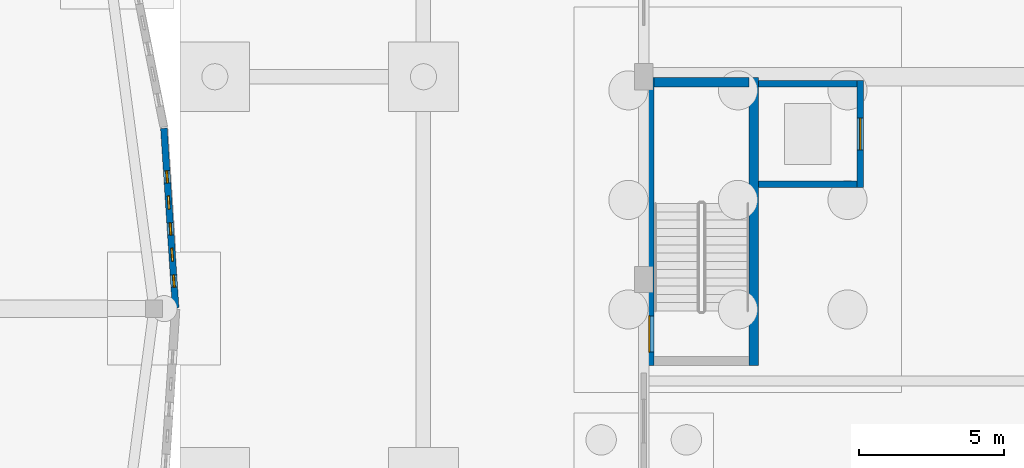
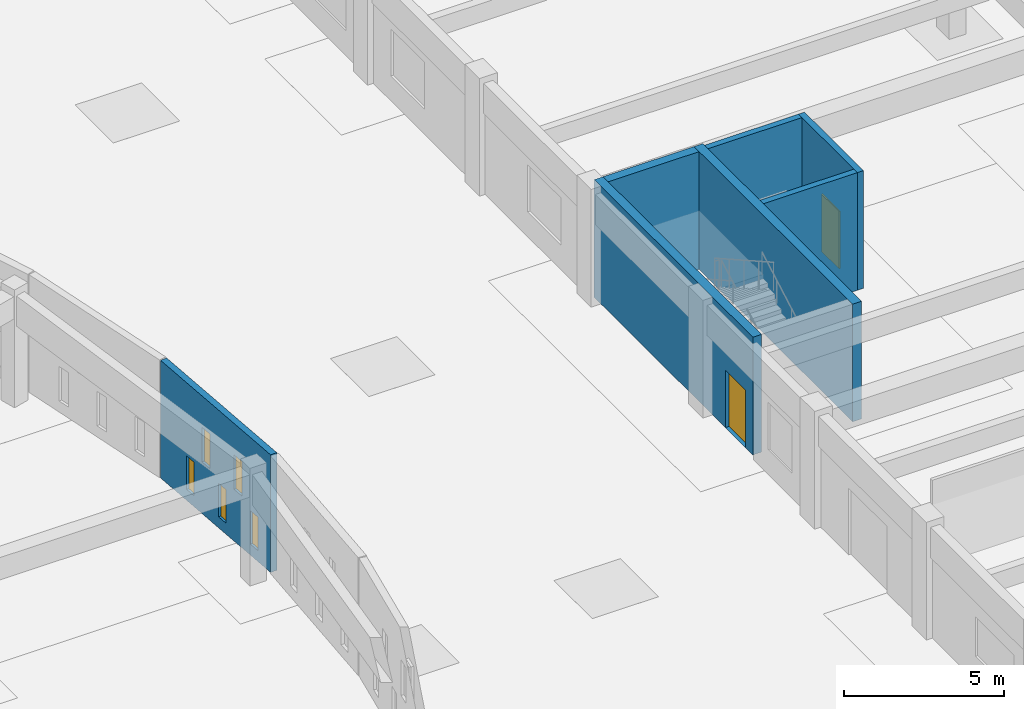
# One storey, part 49 of 84: 7 walls, 5 windows, 2 doors, 7 openings.
"""IFC4 building model written with IfcOpenShell, lengths in metres."""

from ifc_helpers import new_model, si_unit, direction, frame, frame_2d, origin, place, context, subcontext, project, spatial, rectangle, extrude, material, layer, layer_set, type_object, element, fill, save


model = new_model("IFC4")

# Units and contexts
model_context = context("Model", 3, precision=1e-05, world=origin(), true_north=direction((0.0, 1.0)))
body_context = subcontext(model_context, "Body", "Model", "MODEL_VIEW")
ifc_project = project(units=[si_unit("LENGTHUNIT", "METRE"), si_unit("AREAUNIT", "SQUARE_METRE"), si_unit("VOLUMEUNIT", "CUBIC_METRE"), si_unit("PLANEANGLEUNIT", "RADIAN"), si_unit("MASSUNIT", "GRAM", prefix="KILO")], contexts=[model_context])

# Site, building, storey
site_placement = place(None, origin())
site = spatial("IfcSite", under=ifc_project, at=site_placement, CompositionType="ELEMENT")
building_placement = place(site_placement, origin())
building = spatial("IfcBuilding", under=site, at=building_placement, Name="Larkveld Mobility Hub", CompositionType="ELEMENT")
storey_placement = place(building_placement, origin())
storey = spatial("IfcBuildingStorey", under=building, at=storey_placement, Name="L00", CompositionType="ELEMENT", Elevation=0.0)

# Wall, openings, windows
ifc_material_1 = material(Name="Fired clay brick 25 MPa", Category="masonry")
ifc_layer_1 = layer(ifc_material_1, 0.22998046875, Name="Fired clay brick 25 MPa", Category="masonry")
ifc_layer_set_1 = layer_set([ifc_layer_1], Name="Fired clay brick 25 MPa")
wall_type_1 = type_object("IfcWallType", Name="WL-BRK-230", PredefinedType="USERDEFINED", material=ifc_layer_set_1)
wall_1_placement = place(storey_placement, frame((95.847900390625, 48.02392578125, 0.0), z_axis=(0.0, 0.0, 1.0), x_axis=(-0.065170180182, 0.997874164219, 0.0)))
wall_1 = element("IfcWall", 1, at=wall_1_placement, inside=storey, type_object=wall_type_1, Name="Drum Woven Open-Bond Brick Chord L00-0001", ObjectType="PERFORATED BRICK SCREEN", PredefinedType="USERDEFINED", context=body_context, shape_type="SweptSolid", body=[
    extrude(rectangle(XDim=6.211181640625, YDim=0.22998046875, at=frame_2d((3.10546875, 0.0))), origin(), (0.0, 0.0, 1.0), 4.5),
])
opening_1_placement = place(wall_1_placement, frame((0.719970703125, 0.0, 0.419921875)))
opening_1 = element("IfcOpeningElement", 2, at=opening_1_placement, cuts=wall_1, Name="Opening W01", PredefinedType="OPENING", context=body_context, shape_type="SweptSolid", body=[
    extrude(rectangle(XDim=0.419921875, YDim=1.280029296875, at=frame_2d((0.2099609375, 0.64013671875))), frame((0.0, 0.125, 0.0), z_axis=(0.0, -1.0, 0.0), x_axis=(1.0, 0.0, 0.0)), (0.0, 0.0, 1.0), 0.25),
])
opening_2_placement = place(wall_1_placement, frame((2.52001953125, 0.0, 0.419921875)))
opening_2 = element("IfcOpeningElement", 3, at=opening_2_placement, cuts=wall_1, Name="Opening W01", PredefinedType="OPENING", context=body_context, shape_type="SweptSolid", body=[
    extrude(rectangle(XDim=0.419921875, YDim=1.280029296875, at=frame_2d((0.2099609375, 0.64013671875))), frame((0.0, 0.125, 0.0), z_axis=(0.0, -1.0, 0.0), x_axis=(1.0, 0.0, 0.0)), (0.0, 0.0, 1.0), 0.25),
])
opening_3_placement = place(wall_1_placement, frame((4.320068359375, 0.0, 0.419921875)))
opening_3 = element("IfcOpeningElement", 4, at=opening_3_placement, cuts=wall_1, Name="Opening W01", PredefinedType="OPENING", context=body_context, shape_type="SweptSolid", body=[
    extrude(rectangle(XDim=0.419921875, YDim=1.280029296875, at=frame_2d((0.2099609375, 0.64013671875))), frame((0.0, 0.125, 0.0), z_axis=(0.0, -1.0, 0.0), x_axis=(1.0, 0.0, 0.0)), (0.0, 0.0, 1.0), 0.25),
])
opening_4_placement = place(wall_1_placement, frame((1.6201171875, 0.0, 1.97998046875)))
opening_4 = element("IfcOpeningElement", 5, at=opening_4_placement, cuts=wall_1, Name="Opening W02", PredefinedType="OPENING", context=body_context, shape_type="SweptSolid", body=[
    extrude(rectangle(XDim=0.449951171875, YDim=1.320068359375, at=frame_2d((0.22509765625, 0.66015625))), frame((0.0, 0.125, 0.0), z_axis=(0.0, -1.0, 0.0), x_axis=(1.0, 0.0, 0.0)), (0.0, 0.0, 1.0), 0.25),
])
opening_5_placement = place(wall_1_placement, frame((3.419921875, 0.0, 1.97998046875)))
opening_5 = element("IfcOpeningElement", 6, at=opening_5_placement, cuts=wall_1, Name="Opening W02", PredefinedType="OPENING", context=body_context, shape_type="SweptSolid", body=[
    extrude(rectangle(XDim=0.449951171875, YDim=1.320068359375, at=frame_2d((0.22509765625, 0.66015625))), frame((0.0, 0.125, 0.0), z_axis=(0.0, -1.0, 0.0), x_axis=(1.0, 0.0, 0.0)), (0.0, 0.0, 1.0), 0.25),
])
ifc_material_2 = material(Name="Extruded aluminium ventilation grille", Category="aluminium")
window_type_1 = type_object("IfcWindowType", Name="WN-VENT-01", PartitioningType="SINGLE_PANEL", PredefinedType="WINDOW", material=ifc_material_2)
window_1_placement = place(opening_1_placement, origin())
window_1 = element("IfcWindow", 7, at=window_1_placement, inside=storey, type_object=window_type_1, Name="Window W01 (0001)", OverallHeight=1.280029296875, OverallWidth=0.419921875, PartitioningType="SINGLE_PANEL", PredefinedType="WINDOW", context=body_context, shape_type="SweptSolid", body=[
    extrude(rectangle(XDim=0.419921875, YDim=1.280029296875, at=frame_2d((0.2099609375, 0.64013671875))), frame((0.0, 0.030029296875, 0.0), z_axis=(0.0, -1.0, 0.0), x_axis=(1.0, 0.0, 0.0)), (0.0, 0.0, 1.0), 0.06005859375),
])
fill(opening_1, window_1)
window_2_placement = place(opening_2_placement, origin())
window_2 = element("IfcWindow", 8, at=window_2_placement, inside=storey, type_object=window_type_1, Name="Window W01 (0002)", OverallHeight=1.280029296875, OverallWidth=0.419921875, PartitioningType="SINGLE_PANEL", PredefinedType="WINDOW", context=body_context, shape_type="SweptSolid", body=[
    extrude(rectangle(XDim=0.419921875, YDim=1.280029296875, at=frame_2d((0.2099609375, 0.64013671875))), frame((0.0, 0.030029296875, 0.0), z_axis=(0.0, -1.0, 0.0), x_axis=(1.0, 0.0, 0.0)), (0.0, 0.0, 1.0), 0.06005859375),
])
fill(opening_2, window_2)
window_3_placement = place(opening_3_placement, origin())
window_3 = element("IfcWindow", 9, at=window_3_placement, inside=storey, type_object=window_type_1, Name="Window W01 (0003)", OverallHeight=1.280029296875, OverallWidth=0.419921875, PartitioningType="SINGLE_PANEL", PredefinedType="WINDOW", context=body_context, shape_type="SweptSolid", body=[
    extrude(rectangle(XDim=0.419921875, YDim=1.280029296875, at=frame_2d((0.2099609375, 0.64013671875))), frame((0.0, 0.030029296875, 0.0), z_axis=(0.0, -1.0, 0.0), x_axis=(1.0, 0.0, 0.0)), (0.0, 0.0, 1.0), 0.06005859375),
])
fill(opening_3, window_3)
window_type_2 = type_object("IfcWindowType", Name="WN-VENT-02", PartitioningType="SINGLE_PANEL", PredefinedType="WINDOW", material=ifc_material_2)
window_4_placement = place(opening_4_placement, origin())
window_4 = element("IfcWindow", 10, at=window_4_placement, inside=storey, type_object=window_type_2, Name="Window W02 (0004)", OverallHeight=1.320068359375, OverallWidth=0.449951171875, PartitioningType="SINGLE_PANEL", PredefinedType="WINDOW", context=body_context, shape_type="SweptSolid", body=[
    extrude(rectangle(XDim=0.449951171875, YDim=1.320068359375, at=frame_2d((0.22509765625, 0.66015625))), frame((0.0, 0.030029296875, 0.0), z_axis=(0.0, -1.0, 0.0), x_axis=(1.0, 0.0, 0.0)), (0.0, 0.0, 1.0), 0.06005859375),
])
fill(opening_4, window_4)
window_5_placement = place(opening_5_placement, origin())
window_5 = element("IfcWindow", 11, at=window_5_placement, inside=storey, type_object=window_type_2, Name="Window W02 (0005)", OverallHeight=1.320068359375, OverallWidth=0.449951171875, PartitioningType="SINGLE_PANEL", PredefinedType="WINDOW", context=body_context, shape_type="SweptSolid", body=[
    extrude(rectangle(XDim=0.449951171875, YDim=1.320068359375, at=frame_2d((0.22509765625, 0.66015625))), frame((0.0, 0.030029296875, 0.0), z_axis=(0.0, -1.0, 0.0), x_axis=(1.0, 0.0, 0.0)), (0.0, 0.0, 1.0), 0.06005859375),
])
fill(opening_5, window_5)

# Wall, opening, door
ifc_material_3 = material(Name="Concrete C40/50", Category="concrete")
ifc_layer_2 = layer(ifc_material_3, 0.219970703125, Name="Concrete C40/50", Category="concrete")
ifc_layer_set_2 = layer_set([ifc_layer_2], Name="Concrete C40/50")
wall_type_2 = type_object("IfcWallType", Name="WL-SHF-220", PredefinedType="SHEAR", material=ifc_layer_set_2)
wall_2_placement = place(storey_placement, frame((119.469970703125, 55.8701171875, 0.0), z_axis=(0.0, 0.0, 1.0), x_axis=(0.0, -1.0, 0.0)))
wall_2 = element("IfcWall", 12, at=wall_2_placement, inside=storey, type_object=wall_type_2, Name="Lift PL2 Shaft Wall L00-E", PredefinedType="SHEAR", context=body_context, shape_type="SweptSolid", body=[
    extrude(rectangle(XDim=3.690185546875, YDim=0.219970703125, at=frame_2d((1.84521484375, 0.0))), origin(), (0.0, 0.0, 1.0), 4.5),
])
opening_6_placement = place(wall_2_placement, frame((1.294921875, 0.0, 0.0)))
opening_6 = element("IfcOpeningElement", 13, at=opening_6_placement, cuts=wall_2, Name="Opening LD01", PredefinedType="OPENING", context=body_context, shape_type="SweptSolid", body=[
    extrude(rectangle(XDim=1.10009765625, YDim=2.199951171875, at=frame_2d((0.550048828125, 1.10009765625))), frame((0.0, 0.1201171875, 0.0), z_axis=(0.0, -1.0, 0.0), x_axis=(1.0, 0.0, 0.0)), (0.0, 0.0, 1.0), 0.239990234375),
])
ifc_material_4 = material(Name="Brushed stainless Steel S355JR sliding landing door", Category="steel")
door_type_1 = type_object("IfcDoorType", Name="DR-LD-110", OperationType="DOUBLE_DOOR_SLIDING", PredefinedType="DOOR", material=ifc_material_4)
door_1_placement = place(opening_6_placement, origin())
door_1 = element("IfcDoor", 14, at=door_1_placement, inside=storey, type_object=door_type_1, Name="Lift landing door PL2-L00", OperationType="DOUBLE_DOOR_SLIDING", OverallHeight=2.199951171875, OverallWidth=1.10009765625, PredefinedType="DOOR", context=body_context, shape_type="SweptSolid", body=[
    extrude(rectangle(XDim=1.10009765625, YDim=2.199951171875, at=frame_2d((0.550048828125, 1.10009765625))), frame((0.0, 0.02490234375, 0.0), z_axis=(0.0, -1.0, 0.0), x_axis=(1.0, 0.0, 0.0)), (0.0, 0.0, 1.0), 0.050048828125),
])
fill(opening_6, door_1)

# Walls
for number, where, z_axis, x_axis, name in (
    (15, (119.360107421875, 52.2900390625, 0.0), (0.0, 0.0, 1.0), (-1.0, 0.0, 0.0), "Lift PL2 Shaft Wall L00-S"),
    (16, (115.9599609375, 55.760009765625, 0.0), (0.0, 0.0, 1.0), (1.0, 0.0, 0.0), "Lift PL2 Shaft Wall L00-N"),
):
    element("IfcWall", number, at=place(storey_placement, frame(where, z_axis=z_axis, x_axis=x_axis)), inside=storey, type_object=wall_type_2, Name=name, PredefinedType="SHEAR", context=body_context, shape_type="SweptSolid", body=[
        extrude(rectangle(XDim=3.400146484375, YDim=0.219970703125, at=frame_2d((1.7001953125, 0.0))), origin(), (0.0, 0.0, 1.0), 4.5),
    ])

# Wall, opening, door
ifc_layer_3 = layer(ifc_material_3, 0.320068359375, Name="Concrete C40/50", Category="concrete")
ifc_layer_set_3 = layer_set([ifc_layer_3], Name="Concrete C40/50")
wall_type_3 = type_object("IfcWallType", Name="WL-SHR-03", PredefinedType="SHEAR", material=ifc_layer_set_3)
wall_3_placement = place(storey_placement, frame((112.18994140625, 46.030029296875, 0.0), z_axis=(0.0, 0.0, 1.0), x_axis=(0.0, 1.0, 0.0)))
wall_3 = element("IfcWall", 17, at=wall_3_placement, inside=storey, type_object=wall_type_3, Name="Core C3 Stair Shear Wall L00-W", PredefinedType="SHEAR", context=body_context, shape_type="SweptSolid", body=[
    extrude(rectangle(XDim=9.93994140625, YDim=0.320068359375, at=frame_2d((4.969970703125, 0.0))), origin(), (0.0, 0.0, 1.0), 4.5),
])
opening_7_placement = place(wall_3_placement, frame((0.469970703125, 0.0, 0.0)))
opening_7 = element("IfcOpeningElement", 18, at=opening_7_placement, cuts=wall_3, Name="Opening ED08", PredefinedType="OPENING", context=body_context, shape_type="SweptSolid", body=[
    extrude(rectangle(XDim=1.25, YDim=2.199951171875, at=frame_2d((0.625, 1.10009765625))), frame((0.0, 0.169921875, 0.0), z_axis=(0.0, -1.0, 0.0), x_axis=(1.0, 0.0, 0.0)), (0.0, 0.0, 1.0), 0.340087890625),
])
ifc_material_5 = material(Name="Galvanised steel final exit door", Category="steel")
door_type_2 = type_object("IfcDoorType", Name="DR-EXT-ESC12", OperationType="NOTDEFINED", PredefinedType="DOOR", material=ifc_material_5)
door_2_placement = place(opening_7_placement, origin())
door_2 = element("IfcDoor", 19, at=door_2_placement, inside=storey, type_object=door_type_2, Name="Stair ST3 Fire Door L00", OperationType="SINGLE_SWING_RIGHT", OverallHeight=2.199951171875, OverallWidth=1.25, PredefinedType="DOOR", context=body_context, shape_type="SweptSolid", body=[
    extrude(rectangle(XDim=1.25, YDim=2.199951171875, at=frame_2d((0.625, 1.10009765625))), frame((0.0, 0.02490234375, 0.0), z_axis=(0.0, -1.0, 0.0), x_axis=(1.0, 0.0, 0.0)), (0.0, 0.0, 1.0), 0.050048828125),
])
fill(opening_7, door_2)

# Walls
wall_4_placement = place(storey_placement, frame((115.800048828125, 55.969970703125, 0.0), z_axis=(0.0, 0.0, 1.0), x_axis=(0.0, -1.0, 0.0)))
element("IfcWall", 20, at=wall_4_placement, inside=storey, type_object=wall_type_3, Name="Core C3 Stair Shear Wall L00-E", PredefinedType="SHEAR", context=body_context, shape_type="SweptSolid", body=[
    extrude(rectangle(XDim=9.93994140625, YDim=0.320068359375, at=frame_2d((4.969970703125, 0.0))), origin(), (0.0, 0.0, 1.0), 4.5),
])
wall_5_placement = place(storey_placement, frame((112.35009765625, 55.81005859375, 0.0), z_axis=(0.0, 0.0, 1.0), x_axis=(1.0, 0.0, 0.0)))
element("IfcWall", 21, at=wall_5_placement, inside=storey, type_object=wall_type_3, Name="Core C3 Stair Shear Wall L00-N", PredefinedType="SHEAR", context=body_context, shape_type="SweptSolid", body=[
    extrude(rectangle(XDim=3.289794921875, YDim=0.320068359375, at=frame_2d((1.64501953125, 0.0))), origin(), (0.0, 0.0, 1.0), 4.5),
])

save(model, "model.ifc")
